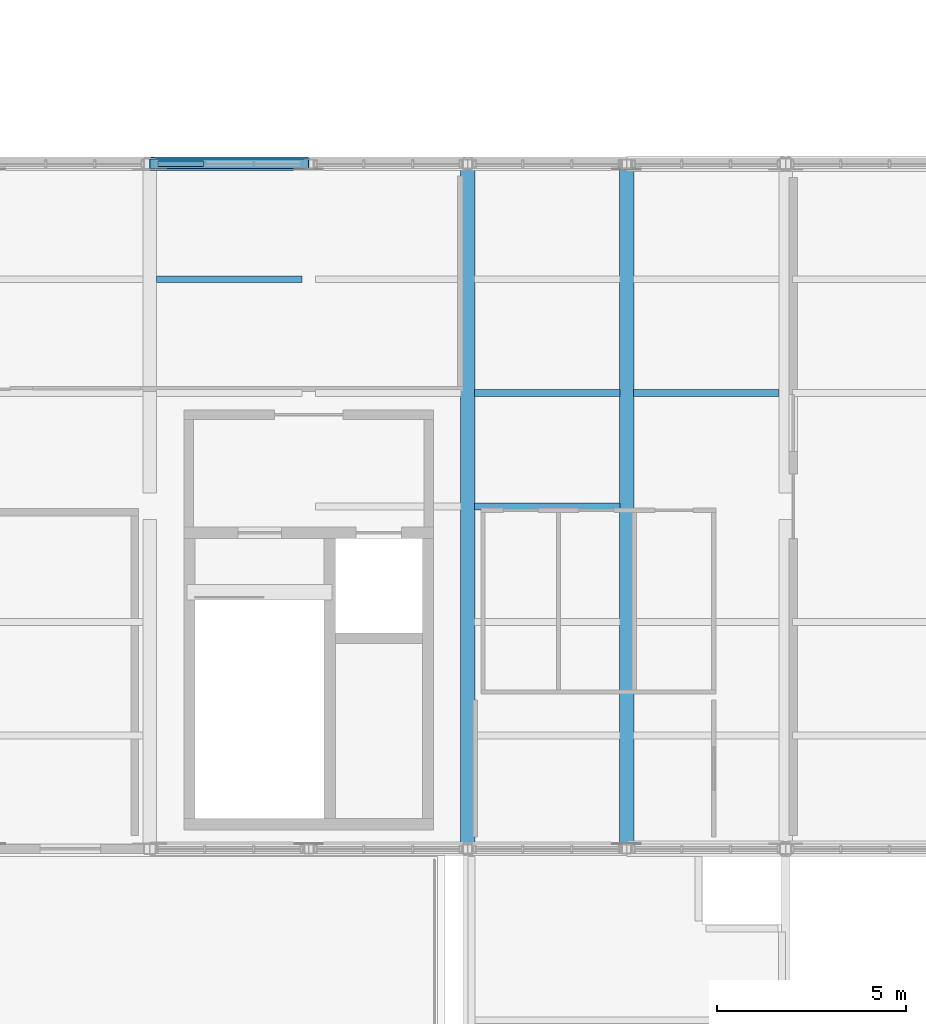
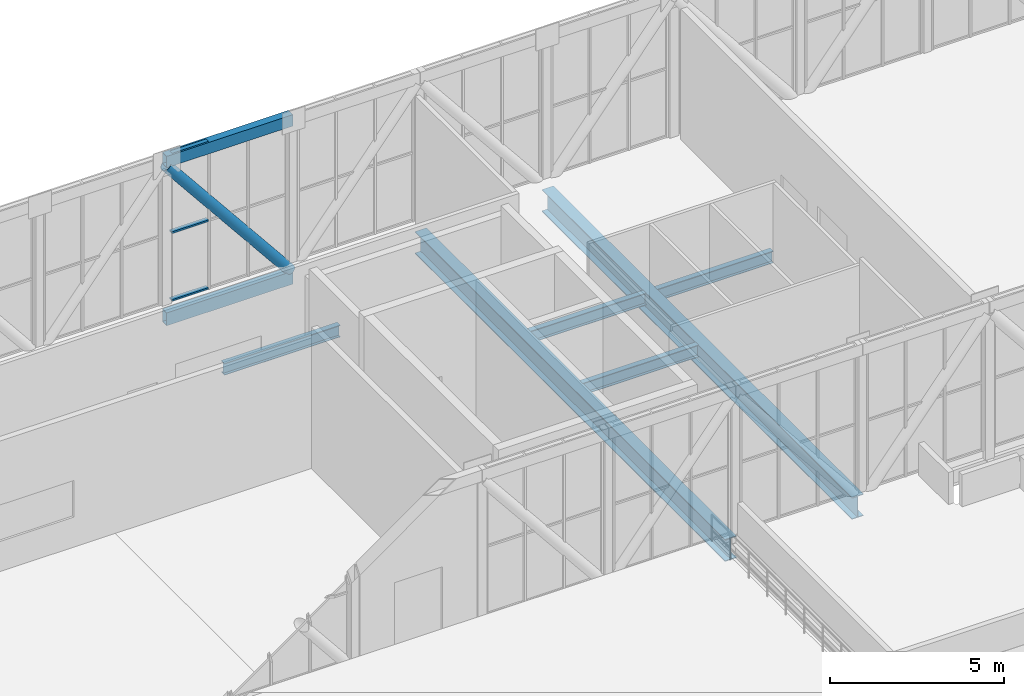
# One storey, part 34 of 58: 6 beams, 6 members, 1 element without a shape of its own.
"""IFC4 building model written with IfcOpenShell, lengths in metres."""

import ifcopenshell
import ifcopenshell.guid

model = None  # the IFC model being written
_history = None  # IfcOwnerHistory: only IFC2X3 demands one
_inside = {}  # id of a spatial element -> (the spatial element, [elements in it])
_under = {}  # id of a project, library or spatial element -> (it, [spatial elements below it])
_declared = {}  # id of a project -> (the project, [libraries it declares])
_typed = {}  # id of a type object -> (the type object, [elements of that type])
_made_of = {}  # id of a material, layer set ... -> (it, [elements and type objects made of it])


def new_model(schema):
    """Start an empty IFC model of exactly this schema.

    Asked for "IFC4X3", IfcOpenShell would pick the latest addendum, in which some entities
    have other attributes; the version numbers below select the first issue.
    IFC2X3 requires an IfcOwnerHistory on every rooted entity: one is made here for all.
    """
    global model, _history
    if schema == "IFC4X3":
        model = ifcopenshell.file(schema_version=(4, 3, 0, 0))
    else:
        model = ifcopenshell.file(schema=schema)
    _inside.clear()
    _under.clear()
    _declared.clear()
    _typed.clear()
    _made_of.clear()
    _history = None
    if model.schema == "IFC2X3":
        org = make("IfcOrganization", Name="unknown")
        user = make(
            "IfcPersonAndOrganization",
            ThePerson=make("IfcPerson", FamilyName="unknown"),
            TheOrganization=org,
        )
        app = make(
            "IfcApplication",
            ApplicationDeveloper=org,
            Version="unknown",
            ApplicationFullName="unknown",
            ApplicationIdentifier="unknown",
        )
        _history = make(
            "IfcOwnerHistory",
            OwningUser=user,
            OwningApplication=app,
            ChangeAction="ADDED",
            CreationDate=0,
        )
    return model


def make(cls, **values):
    """One entity of the class cls with the attributes given. An attribute that is None is left unset."""
    return model.create_entity(
        cls, **{name: value for name, value in values.items() if value is not None}
    )


def rooted(cls, **values):
    """An entity with a GlobalId (a new one), such as an element, a storey or a relation."""
    return make(cls, GlobalId=ifcopenshell.guid.new(), OwnerHistory=_history, **values)


def si_unit(unit_type, name, prefix=None):
    """IfcSIUnit, for example si_unit("LENGTHUNIT", "METRE", prefix="MILLI")."""
    return make("IfcSIUnit", UnitType=unit_type, Prefix=prefix, Name=name)


def assignment(units):
    """IfcUnitAssignment: the units of a project."""
    return None if units is None else make("IfcUnitAssignment", Units=units)


def point(xyz):
    """IfcCartesianPoint."""
    return None if xyz is None else make("IfcCartesianPoint", Coordinates=xyz)


def direction(xyz):
    """IfcDirection."""
    return None if xyz is None else make("IfcDirection", DirectionRatios=xyz)


def frame(location, z_axis=None, x_axis=None):
    """IfcAxis2Placement3D, a coordinate frame: its origin and axes. An axis left out is left unset."""
    return make(
        "IfcAxis2Placement3D",
        Location=point(location),
        Axis=direction(z_axis),
        RefDirection=direction(x_axis),
    )


def frame_2d(location, x_axis=None):
    """IfcAxis2Placement2D, a coordinate frame in the plane: its origin and x axis."""
    return make(
        "IfcAxis2Placement2D", Location=point(location), RefDirection=direction(x_axis)
    )


def origin():
    """The frame at (0, 0, 0) with its axes left unset."""
    return frame((0.0, 0.0, 0.0))


def origin_2d():
    """The frame at (0, 0) in the plane with its x axis left unset."""
    return frame_2d((0.0, 0.0))


def place(relative_to, where):
    """IfcLocalPlacement: puts the frame where relative to a parent placement (None: the world)."""
    return make(
        "IfcLocalPlacement", PlacementRelTo=relative_to, RelativePlacement=where
    )


def context(
    kind, dimensions, precision=None, world=None, true_north=None, identifier=None
):
    """IfcGeometricRepresentationContext, for example the 3D "Model" context."""
    return make(
        "IfcGeometricRepresentationContext",
        ContextIdentifier=identifier,
        ContextType=kind,
        CoordinateSpaceDimension=dimensions,
        Precision=precision,
        WorldCoordinateSystem=world,
        TrueNorth=true_north,
    )


def subcontext(parent, identifier, kind, view, scale=None):
    """IfcGeometricRepresentationSubContext, for example "Body" below "Model"."""
    return make(
        "IfcGeometricRepresentationSubContext",
        ContextIdentifier=identifier,
        ContextType=kind,
        ParentContext=parent,
        TargetScale=scale,
        TargetView=view,
    )


def project(units=None, contexts=None):
    """IfcProject with its units and contexts."""
    return rooted(
        "IfcProject",
        Name="project",
        RepresentationContexts=contexts,
        UnitsInContext=assignment(units),
    )


def spatial(cls, under=None, at=None, **own):
    """A site, building, storey or space (cls), placed at a placement, below another one or the project."""
    s = rooted(cls, ObjectPlacement=at, **own)
    if under is not None:
        _under.setdefault(under.id(), (under, []))[1].append(s)
    return s


def profile(cls, at=None, kind="AREA", **sizes):
    """A parametric profile (cls). Its sizes go by their IFC names, for example OverallWidth=200.0."""
    return make(cls, ProfileType=kind, Position=at, **sizes)


def hollow_rectangle(**sizes):
    """IfcRectangleHollowProfileDef."""
    return profile("IfcRectangleHollowProfileDef", **sizes)


def hollow_circle(**sizes):
    """IfcCircleHollowProfileDef."""
    return profile("IfcCircleHollowProfileDef", **sizes)


def i_section(**sizes):
    """IfcIShapeProfileDef."""
    return profile("IfcIShapeProfileDef", **sizes)


def extrude(swept, where, along, depth):
    """IfcExtrudedAreaSolid: the profile swept, set in the frame where, extruded along a direction by depth."""
    return make(
        "IfcExtrudedAreaSolid",
        SweptArea=swept,
        Position=where,
        ExtrudedDirection=direction(along),
        Depth=depth,
    )


def shape(context_of_items, identifier, shape_type, items):
    """IfcShapeRepresentation: the items that make up one representation, for example the "Body"."""
    return make(
        "IfcShapeRepresentation",
        ContextOfItems=context_of_items,
        RepresentationIdentifier=identifier,
        RepresentationType=shape_type,
        Items=items,
    )


def material(Name=None, Category=None):
    """IfcMaterial."""
    return make("IfcMaterial", Name=Name, Category=Category)


def material_profile(
    of_material, cross_section, Name=None, Category=None, Priority=None
):
    """IfcMaterialProfile: a cross section and its material."""
    return make(
        "IfcMaterialProfile",
        Name=Name,
        Material=of_material,
        Profile=cross_section,
        Priority=Priority,
        Category=Category,
    )


def profile_set(profiles, Name=None, composite=None):
    """IfcMaterialProfileSet."""
    return make(
        "IfcMaterialProfileSet",
        Name=Name,
        MaterialProfiles=profiles,
        CompositeProfile=composite,
    )


def made_of(thing, what):
    """Note that an element or type object is made of a material, layer set ...; save() writes the relation."""
    if what is not None:
        _made_of.setdefault(what.id(), (what, []))[1].append(thing)
    return thing


def type_object(cls, material=None, **own):
    """A type object (cls), such as IfcWallType, which elements share."""
    return made_of(rooted(cls, **own), material)


def element(
    cls,
    number,
    at=None,
    inside=None,
    cuts=None,
    type_object=None,
    material=None,
    context=None,
    identifier="Body",
    shape_type=None,
    held_by="IfcProductDefinitionShape",
    body=None,
    shapes=None,
    **own,
):
    """One element of the class cls, such as IfcWall. Its Tag is "e" and its number.

    at: its placement. inside: the storey or other place that contains it. cuts: it is an
    opening in that element (IfcRelVoidsElement). A single representation is given by context,
    identifier, shape_type and body (its items); several are given by shapes. held_by: the class
    of the entity that holds the representations. save() writes the other relations.
    """
    e = rooted(cls, Tag="e%d" % number, ObjectPlacement=at, **own)
    if body is not None:
        shapes = [shape(context, identifier, shape_type, body)]
    if shapes is not None:
        e.Representation = make(held_by, Representations=shapes)
    if inside is not None:
        _inside.setdefault(inside.id(), (inside, []))[1].append(e)
    if cuts is not None:
        rooted(
            "IfcRelVoidsElement", RelatingBuildingElement=cuts, RelatedOpeningElement=e
        )
    if type_object is not None:
        _typed.setdefault(type_object.id(), (type_object, []))[1].append(e)
    return made_of(e, material)


def aggregate(whole, parts):
    """IfcRelAggregates: a whole, such as a stair, and the parts it consists of."""
    return rooted("IfcRelAggregates", RelatingObject=whole, RelatedObjects=parts)


def save(model, path):
    """Write the relations noted so far, then the file.

    IfcRelAggregates (storeys below a building ...), IfcRelContainedInSpatialStructure (elements
    in a storey), IfcRelDefinesByType, IfcRelAssociatesMaterial and IfcRelDeclares: one each for
    every whole, place, type object, material and project.
    """
    for whole, parts in _under.values():
        aggregate(whole, parts)
    for where, things in _inside.values():
        rooted(
            "IfcRelContainedInSpatialStructure",
            RelatedElements=things,
            RelatingStructure=where,
        )
    for kind, things in _typed.values():
        rooted("IfcRelDefinesByType", RelatedObjects=things, RelatingType=kind)
    for what, things in _made_of.values():
        rooted("IfcRelAssociatesMaterial", RelatedObjects=things, RelatingMaterial=what)
    for by, libraries in _declared.values():
        rooted("IfcRelDeclares", RelatingContext=by, RelatedDefinitions=libraries)
    model.write(path)


model = new_model("IFC4")

# Units and contexts
model_context = context("Model", 3, precision=1e-05, world=origin(), true_north=direction((0.0, 1.0)))
body_context = subcontext(model_context, "Body", "Model", "MODEL_VIEW")
ifc_project = project(units=[si_unit("LENGTHUNIT", "METRE"), si_unit("AREAUNIT", "SQUARE_METRE"), si_unit("VOLUMEUNIT", "CUBIC_METRE"), si_unit("PLANEANGLEUNIT", "RADIAN"), si_unit("MASSUNIT", "GRAM", prefix="KILO")], contexts=[model_context])

# Site, building, storey
site_placement = place(None, origin())
site = spatial("IfcSite", under=ifc_project, at=site_placement, CompositionType="ELEMENT")
building_placement = place(site_placement, origin())
building = spatial("IfcBuilding", under=site, at=building_placement, Name="Khurvash Pelagic Aquarium", CompositionType="ELEMENT")
storey_placement = place(building_placement, frame((0.0, 0.0, 24.60009765625)))
storey = spatial("IfcBuildingStorey", under=building, at=storey_placement, Name="L05", CompositionType="ELEMENT", Elevation=24.60009765625)

# Beams
ifc_material_1 = material(Name="Steel ASTM A992 Grade 50", Category="steel")
ifc_material_profile_1 = material_profile(ifc_material_1, i_section(OverallWidth=0.381103515625, OverallDepth=0.77197265625, WebThickness=0.0166015625, FlangeThickness=0.027099609375, at=origin_2d()), Name="W30X173")
ifc_profile_set_1 = profile_set([ifc_material_profile_1], Name="Steel ASTM A992 Grade 50")
beam_type_1 = type_object("IfcBeamType", Name="BM-08", PredefinedType="BEAM", material=ifc_profile_set_1)
for number, where, z_axis, x_axis, name in (
    (1, (100.800048828125, 11.81005859375, -0.68603515625), (0.0, 1.0, 0.0), (-1.0, 0.0, 0.0), "L05 Sky-Bar Transverse Floor Girder BM-08 N22"),
    (2, (105.0, 11.81005859375, -0.68603515625), (0.0, 1.0, 0.0), (-1.0, 0.0, 0.0), "L05 Sky-Bar Transverse Floor Girder BM-08 N23"),
):
    element("IfcBeam", number, at=place(storey_placement, frame(where, z_axis=z_axis, x_axis=x_axis)), inside=storey, type_object=beam_type_1, Name=name, PredefinedType="BEAM", context=body_context, shape_type="SweptSolid", body=[
        extrude(i_section(OverallWidth=0.381103515625, OverallDepth=0.77197265625, WebThickness=0.0166015625, FlangeThickness=0.027099609375, at=origin_2d()), origin(), (0.0, 0.0, 1.0), 17.780029296875),
    ])

# Curtain wall, members
ifc_material_2 = material(Name="Anodised aluminium and low-E laminated glass", Category="aluminium")
curtain_wall_type = type_object("IfcCurtainWallType", Name="CW-01", PredefinedType="USERDEFINED", material=ifc_material_2)
curtain_wall_placement = place(storey_placement, origin())
curtain_wall = element("IfcCurtainWall", 3, at=curtain_wall_placement, inside=storey, type_object=curtain_wall_type, Name="L05 North Sky-Bar Unitised Curtain Wall CW-01 P20", ObjectType="UNITISED CURTAIN WALL", PredefinedType="USERDEFINED")
ifc_material_3 = material(Name="Extruded aluminium AW-6063-T6", Category="aluminium")
ifc_material_profile_2 = material_profile(ifc_material_3, hollow_rectangle(XDim=0.139892578125, YDim=0.06005859375, WallThickness=0.00390625, at=origin_2d()), Name="CWT140X60X4")
ifc_profile_set_2 = profile_set([ifc_material_profile_2], Name="Extruded aluminium AW-6063-T6")
member_type_1 = type_object("IfcMemberType", Name="CT-01", PredefinedType="USERDEFINED", material=ifc_profile_set_2)
member_1_placement = place(storey_placement, frame((92.6201171875, 29.75, 0.02978515625), z_axis=(1.0, 0.0, 0.0), x_axis=(0.0, 1.0, 0.0)))
member_1 = element("IfcMember", 4, at=member_1_placement, type_object=member_type_1, Name="CW-01 transom 1.1", ObjectType="TRANSOM", PredefinedType="USERDEFINED", context=body_context, shape_type="SweptSolid", body=[
    extrude(hollow_rectangle(XDim=0.139892578125, YDim=0.06005859375, WallThickness=0.00390625, at=origin_2d()), origin(), (0.0, 0.0, 1.0), 1.203125),
])
member_2_placement = place(storey_placement, frame((92.6201171875, 29.75, 2.39990234375), z_axis=(1.0, 0.0, 0.0), x_axis=(0.0, 1.0, 0.0)))
member_2 = element("IfcMember", 5, at=member_2_placement, type_object=member_type_1, Name="CW-01 transom 1.2", ObjectType="TRANSOM", PredefinedType="USERDEFINED", context=body_context, shape_type="SweptSolid", body=[
    extrude(hollow_rectangle(XDim=0.139892578125, YDim=0.06005859375, WallThickness=0.00390625, at=origin_2d()), origin(), (0.0, 0.0, 1.0), 1.203125),
])
member_3_placement = place(storey_placement, frame((92.6201171875, 29.75, 5.14990234375), z_axis=(1.0, 0.0, 0.0), x_axis=(0.0, 1.0, 0.0)))
member_3 = element("IfcMember", 6, at=member_3_placement, type_object=member_type_1, Name="CW-01 transom 1.3", ObjectType="TRANSOM", PredefinedType="USERDEFINED", context=body_context, shape_type="SweptSolid", body=[
    extrude(hollow_rectangle(XDim=0.139892578125, YDim=0.06005859375, WallThickness=0.00390625, at=origin_2d()), origin(), (0.0, 0.0, 1.0), 1.203125),
])
aggregate(curtain_wall, [member_1, member_2, member_3])

# Beams
ifc_material_profile_3 = material_profile(ifc_material_1, i_section(OverallWidth=0.180908203125, OverallDepth=0.4169921875, WebThickness=0.010986328125, FlangeThickness=0.018310546875, at=origin_2d()), Name="W16X57")
ifc_profile_set_3 = profile_set([ifc_material_profile_3], Name="Steel ASTM A992 Grade 50")
beam_type_2 = type_object("IfcBeamType", Name="JS-03", PredefinedType="JOIST", material=ifc_profile_set_3)
beam_placement = place(storey_placement, frame((92.580078125, 26.699951171875, -0.508544921875), z_axis=(1.0, 0.0, 0.0), x_axis=(0.0, 1.0, 0.0)))
element("IfcBeam", 7, at=beam_placement, inside=storey, type_object=beam_type_2, Name="L05 Sky-Bar Floor Joist JS-03 P20", PredefinedType="JOIST", context=body_context, shape_type="SweptSolid", body=[
    extrude(i_section(OverallWidth=0.180908203125, OverallDepth=0.4169921875, WebThickness=0.010986328125, FlangeThickness=0.018310546875, at=origin_2d()), origin(), (0.0, 0.0, 1.0), 3.83984375),
])
for number, where, z_axis, x_axis, name in (
    (8, (100.97998046875, 20.699951171875, -0.508544921875), (1.0, 0.0, 0.0), (0.0, 1.0, 0.0), "L05 Sky-Bar Floor Joist JS-03 P22"),
    (9, (100.97998046875, 23.699951171875, -0.508544921875), (1.0, 0.0, 0.0), (0.0, 1.0, 0.0), "L05 Sky-Bar Floor Joist JS-03 P22"),
    (10, (105.179931640625, 23.699951171875, -0.508544921875), (1.0, 0.0, 0.0), (0.0, 1.0, 0.0), "L05 Sky-Bar Floor Joist JS-03 P23"),
):
    element("IfcBeam", number, at=place(storey_placement, frame(where, z_axis=z_axis, x_axis=x_axis)), inside=storey, type_object=beam_type_2, Name=name, PredefinedType="JOIST", context=body_context, shape_type="SweptSolid", body=[
        extrude(i_section(OverallWidth=0.180908203125, OverallDepth=0.4169921875, WebThickness=0.010986328125, FlangeThickness=0.018310546875, at=origin_2d()), origin(), (0.0, 0.0, 1.0), 3.840087890625),
    ])

# Members
ifc_material_4 = material(Name="Steel S355J2", Category="steel")
ifc_material_profile_4 = material_profile(ifc_material_4, hollow_rectangle(XDim=0.25, YDim=0.449951171875, WallThickness=0.02001953125, at=origin_2d()), Name="RHS450X250X20")
ifc_profile_set_4 = profile_set([ifc_material_profile_4], Name="Steel S355J2")
member_type_2 = type_object("IfcMemberType", Name="TC-01", PredefinedType="CHORD", material=ifc_profile_set_4)
member_4_placement = place(storey_placement, frame((92.409912109375, 29.75, -0.525146484375), z_axis=(1.0, 0.0, 0.0), x_axis=(0.0, 1.0, 0.0)))
element("IfcMember", 11, at=member_4_placement, inside=storey, type_object=member_type_2, Name="L05 North Sky-Bar Warren Truss Bottom Chord TC-01 P20", PredefinedType="CHORD", context=body_context, shape_type="SweptSolid", body=[
    extrude(hollow_rectangle(XDim=0.25, YDim=0.449951171875, WallThickness=0.02001953125, at=origin_2d()), origin(), (0.0, 0.0, 1.0), 4.18017578125),
])
ifc_material_profile_5 = material_profile(ifc_material_4, hollow_rectangle(XDim=0.25, YDim=0.39990234375, WallThickness=0.01611328125, at=origin_2d()), Name="RHS400X250X16")
ifc_profile_set_5 = profile_set([ifc_material_profile_5], Name="Steel S355J2")
member_type_3 = type_object("IfcMemberType", Name="TC-02", PredefinedType="CHORD", material=ifc_profile_set_5)
member_5_placement = place(storey_placement, frame((92.409912109375, 29.75, 4.97998046875), z_axis=(1.0, 0.0, 0.0), x_axis=(0.0, 1.0, 0.0)))
element("IfcMember", 12, at=member_5_placement, inside=storey, type_object=member_type_3, Name="L05 North Sky-Bar Warren Truss Top Chord TC-02 P20", PredefinedType="CHORD", context=body_context, shape_type="SweptSolid", body=[
    extrude(hollow_rectangle(XDim=0.25, YDim=0.39990234375, WallThickness=0.01611328125, at=origin_2d()), origin(), (0.0, 0.0, 1.0), 4.18017578125),
])
ifc_material_profile_6 = material_profile(ifc_material_4, hollow_circle(Radius=0.177734375, WallThickness=0.01416015625, at=origin_2d()), Name="CHS355X14")
ifc_profile_set_6 = profile_set([ifc_material_profile_6], Name="Steel S355J2")
member_type_4 = type_object("IfcMemberType", Name="TD-02", PredefinedType="BRACE", material=ifc_profile_set_6)
member_6_placement = place(storey_placement, frame((92.449951171875, 29.75, 4.77978515625), z_axis=(0.628073304864, 0.0, -0.778154177343), x_axis=(0.0, 1.0, 0.0)))
element("IfcMember", 13, at=member_6_placement, inside=storey, type_object=member_type_4, Name="L05 North Sky-Bar Warren Truss Diagonal TD-02 P20", PredefinedType="BRACE", context=body_context, shape_type="SweptSolid", body=[
    extrude(hollow_circle(Radius=0.177734375, WallThickness=0.01416015625, at=origin_2d()), origin(), (0.0, 0.0, 1.0), 6.528076171875),
])

save(model, "model.ifc")
